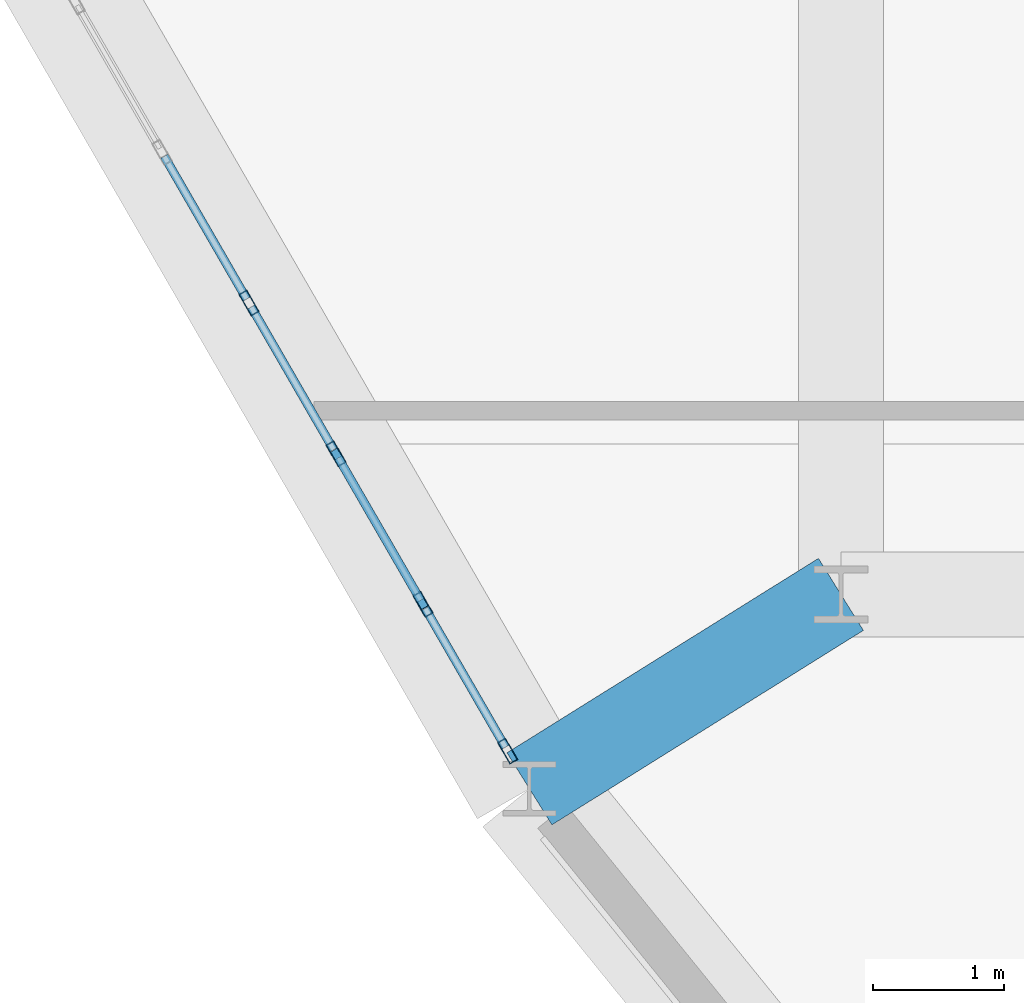
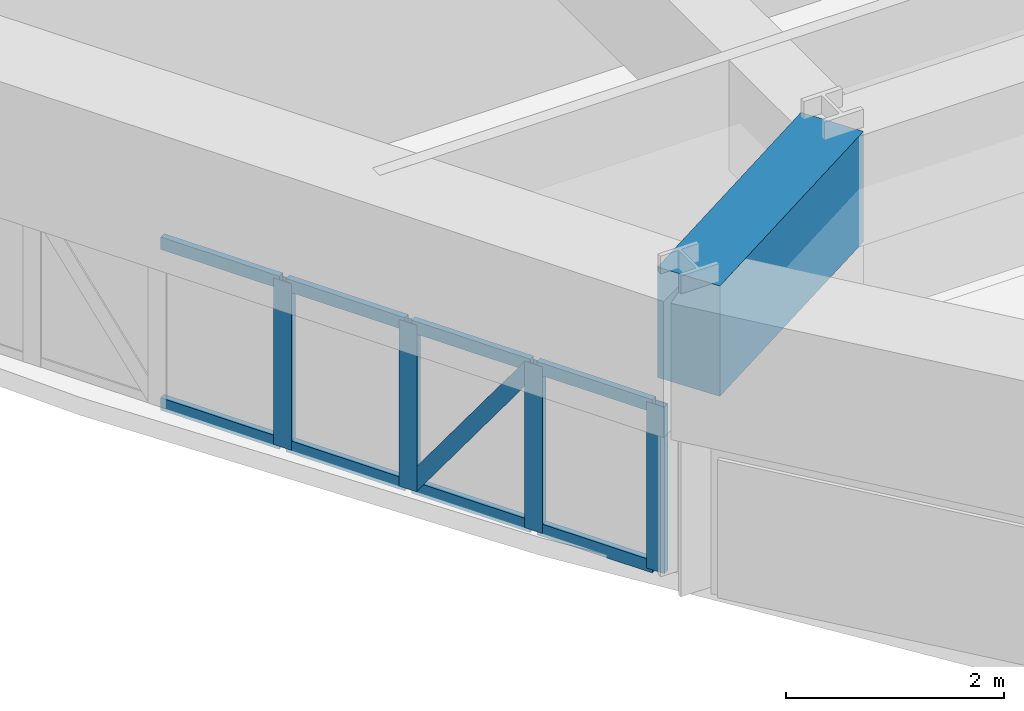
# One storey, part 2 of 13: 13 members, 1 beam, 1 element without a shape of its own.
"""IFC4 building model written with IfcOpenShell, lengths in metres."""

from ifc_helpers import new_model, si_unit, derived_unit, direction, frame, origin, origin_2d, place, context, subcontext, project, spatial, rectangle, hollow_rectangle, extrude, source, transform, mapped, material, layer, layer_set, material_profile, profile_set, type_object, element, aggregate, save


model = new_model("IFC4")

# Units and contexts
model_context = context("Model", 3, precision=1e-05, world=origin(), true_north=direction((0.0, 1.0)))
body_context = subcontext(model_context, "Body", "Model", "MODEL_VIEW")
ifc_project = project(units=[si_unit("LENGTHUNIT", "METRE"), si_unit("AREAUNIT", "SQUARE_METRE"), si_unit("VOLUMEUNIT", "CUBIC_METRE"), si_unit("PLANEANGLEUNIT", "RADIAN"), si_unit("MASSUNIT", "GRAM", prefix="KILO"), derived_unit("THERMALTRANSMITTANCEUNIT", [(si_unit("POWERUNIT", "WATT"), 1), (si_unit("LENGTHUNIT", "METRE"), -2), (si_unit("THERMODYNAMICTEMPERATUREUNIT", "KELVIN"), -1)])], contexts=[model_context])

# Site, building, storey
site_placement = place(None, origin())
site = spatial("IfcSite", under=ifc_project, at=site_placement, CompositionType="ELEMENT")
building_placement = place(site_placement, origin())
building = spatial("IfcBuilding", under=site, at=building_placement, Name="Korsvarv Bourse and Concert Hall", CompositionType="ELEMENT")
storey_placement = place(building_placement, frame((0.0, 0.0, 179.39990234375)))
storey = spatial("IfcBuildingStorey", under=building, at=storey_placement, Name="L46", CompositionType="ELEMENT", Elevation=179.39990234375)

# Beam
ifc_material_1 = material(Name="Concrete C50/60", Category="concrete")
ifc_material_profile_1 = material_profile(ifc_material_1, rectangle(XDim=0.64990234375, YDim=1.239990234375, at=origin_2d()), Name="RC-BM 650x1240")
ifc_profile_set_1 = profile_set([ifc_material_profile_1], Name="Concrete C50/60")
beam_type = type_object("IfcBeamType", Name="BM-TR-SPN", PredefinedType="BEAM", material=ifc_profile_set_1)
shared_shape_1 = source(origin(), body_context, "Body", "SweptSolid", [
    extrude(rectangle(XDim=0.64990234375, YDim=1.239990234375, at=origin_2d()), origin(), (0.0, 0.0, 1.0), 2.8095703125),
])
beam_placement = place(storey_placement, frame((25.216796875, 22.51220703125, 2.780029296875), z_axis=(0.848281328121, 0.529545832163, 0.0), x_axis=(-0.529545832163, 0.848281328121, 0.0)))
element("IfcBeam", 1, at=beam_placement, inside=storey, type_object=beam_type, Name="L46 beam B-TRS", PredefinedType="BEAM", context=body_context, shape_type="MappedRepresentation", body=[
    mapped(shared_shape_1, transform((0.0, 0.0, 0.0), scale=1.0)),
])

# Curtain wall, members
ifc_material_2 = material(Name="Anodised aluminium and triple low-E glazing", Category="glass")
ifc_layer = layer(ifc_material_2, 0.199951171875)
ifc_layer_set = layer_set([ifc_layer], Name="Anodised aluminium and triple low-E glazing")
curtain_wall_type = type_object("IfcCurtainWallType", Name="CW-SYS-3", PredefinedType="NOTDEFINED", material=ifc_layer_set)
curtain_wall_placement = place(storey_placement, origin())
curtain_wall = element("IfcCurtainWall", 2, at=curtain_wall_placement, inside=storey, type_object=curtain_wall_type, Name="L46 CW3 curtain wall CW-L46-F07", PredefinedType="NOTDEFINED")
ifc_material_3 = material(Name="Extruded aluminium EN AW-6063 T66", Category="aluminium")
ifc_material_profile_2 = material_profile(ifc_material_3, hollow_rectangle(XDim=0.070068359375, YDim=0.18994140625, WallThickness=0.0048828125, at=origin_2d()), Name="ALU-M 70x190")
ifc_profile_set_2 = profile_set([ifc_material_profile_2], Name="Extruded aluminium EN AW-6063 T66")
member_type_1 = type_object("IfcMemberType", Name="CWM-190", PredefinedType="MULLION", material=ifc_profile_set_2)
shared_shape_2 = source(origin(), body_context, "Body", "SweptSolid", [
    extrude(hollow_rectangle(XDim=0.070068359375, YDim=0.18994140625, WallThickness=0.0048828125, at=origin_2d()), origin(), (0.0, 0.0, 1.0), 1.8701171875),
])
member_1_placement = place(storey_placement, frame((23.07080078125, 26.229248046875, 0.0), z_axis=(0.0, 0.0, 1.0), x_axis=(0.866028825281, 0.499994073747, 0.0)))
member_1 = element("IfcMember", 3, at=member_1_placement, type_object=member_type_1, Name="CW3 mullion 7", PredefinedType="MULLION", context=body_context, shape_type="MappedRepresentation", body=[
    mapped(shared_shape_2, transform((0.0, 0.0, 0.0), scale=1.0)),
])
member_2_placement = place(storey_placement, frame((23.736572265625, 25.076171875, 0.0), z_axis=(0.0, 0.0, 1.0), x_axis=(0.866028825281, 0.499994073747, 0.0)))
member_2 = element("IfcMember", 4, at=member_2_placement, type_object=member_type_1, Name="CW3 mullion 8", PredefinedType="MULLION", context=body_context, shape_type="MappedRepresentation", body=[
    mapped(shared_shape_2, transform((0.0, 0.0, 0.0), scale=1.0)),
])
member_3_placement = place(storey_placement, frame((24.402099609375, 23.923095703125, 0.0), z_axis=(0.0, 0.0, 1.0), x_axis=(0.866028825281, 0.499994073747, 0.0)))
member_3 = element("IfcMember", 5, at=member_3_placement, type_object=member_type_1, Name="CW3 mullion 9", PredefinedType="MULLION", context=body_context, shape_type="MappedRepresentation", body=[
    mapped(shared_shape_2, transform((0.0, 0.0, 0.0), scale=1.0)),
])
member_4_placement = place(storey_placement, frame((25.05029296875, 22.80029296875, 0.0), z_axis=(0.0, 0.0, 1.0), x_axis=(0.866028825281, 0.499994073747, 0.0)))
member_4 = element("IfcMember", 6, at=member_4_placement, type_object=member_type_1, Name="CW3 mullion 10", PredefinedType="MULLION", context=body_context, shape_type="MappedRepresentation", body=[
    mapped(shared_shape_2, transform((0.0, 0.0, 0.0), scale=1.0)),
])
ifc_material_profile_3 = material_profile(ifc_material_3, hollow_rectangle(XDim=0.06494140625, YDim=0.139892578125, WallThickness=0.00390625, at=origin_2d()), Name="ALU-T 65x140")
ifc_profile_set_3 = profile_set([ifc_material_profile_3], Name="Extruded aluminium EN AW-6063 T66")
member_type_2 = type_object("IfcMemberType", Name="CWT-140", PredefinedType="USERDEFINED", material=ifc_profile_set_3)
shared_shape_3 = source(origin(), body_context, "Body", "SweptSolid", [
    extrude(hollow_rectangle(XDim=0.06494140625, YDim=0.139892578125, WallThickness=0.00390625, at=origin_2d()), origin(), (0.0, 0.0, 1.0), 1.261474609375),
])
member_5_placement = place(storey_placement, frame((22.422607421875, 27.35205078125, 0.03271484375), z_axis=(0.499906742921, -0.86607923909, 0.0), x_axis=(0.86607923909, 0.499906742921, 0.0)))
member_5 = element("IfcMember", 7, at=member_5_placement, type_object=member_type_2, Name="CW3 transom 6.1", ObjectType="TRANSOM", PredefinedType="USERDEFINED", context=body_context, shape_type="MappedRepresentation", body=[
    mapped(shared_shape_3, transform((0.0, 0.0, 0.0), scale=1.0)),
])
member_6_placement = place(storey_placement, frame((22.422607421875, 27.35205078125, 1.837646484375), z_axis=(0.499906742921, -0.86607923909, 0.0), x_axis=(0.86607923909, 0.499906742921, 0.0)))
member_6 = element("IfcMember", 8, at=member_6_placement, type_object=member_type_2, Name="CW3 transom 6.2", ObjectType="TRANSOM", PredefinedType="USERDEFINED", context=body_context, shape_type="MappedRepresentation", body=[
    mapped(shared_shape_3, transform((0.0, 0.0, 0.0), scale=1.0)),
])
member_7_placement = place(storey_placement, frame((23.08837890625, 26.198974609375, 0.03271484375), z_axis=(0.499906742921, -0.86607923909, 0.0), x_axis=(0.86607923909, 0.499906742921, 0.0)))
member_7 = element("IfcMember", 9, at=member_7_placement, type_object=member_type_2, Name="CW3 transom 7.1", ObjectType="TRANSOM", PredefinedType="USERDEFINED", context=body_context, shape_type="MappedRepresentation", body=[
    mapped(shared_shape_3, transform((0.0, 0.0, 0.0), scale=1.0)),
])
member_8_placement = place(storey_placement, frame((23.08837890625, 26.198974609375, 1.837646484375), z_axis=(0.499906742921, -0.86607923909, 0.0), x_axis=(0.86607923909, 0.499906742921, 0.0)))
member_8 = element("IfcMember", 10, at=member_8_placement, type_object=member_type_2, Name="CW3 transom 7.2", ObjectType="TRANSOM", PredefinedType="USERDEFINED", context=body_context, shape_type="MappedRepresentation", body=[
    mapped(shared_shape_3, transform((0.0, 0.0, 0.0), scale=1.0)),
])
member_9_placement = place(storey_placement, frame((23.75390625, 25.0458984375, 0.03271484375), z_axis=(0.500051892845, -0.865995441363, 0.0), x_axis=(0.865995441363, 0.500051892845, 0.0)))
member_9 = element("IfcMember", 11, at=member_9_placement, type_object=member_type_2, Name="CW3 transom 8.1", ObjectType="TRANSOM", PredefinedType="USERDEFINED", context=body_context, shape_type="MappedRepresentation", body=[
    mapped(shared_shape_3, transform((0.0, 0.0, 0.0), scale=1.0)),
])
member_10_placement = place(storey_placement, frame((23.75390625, 25.0458984375, 1.837646484375), z_axis=(0.500051892845, -0.865995441363, 0.0), x_axis=(0.865995441363, 0.500051892845, 0.0)))
member_10 = element("IfcMember", 12, at=member_10_placement, type_object=member_type_2, Name="CW3 transom 8.2", ObjectType="TRANSOM", PredefinedType="USERDEFINED", context=body_context, shape_type="MappedRepresentation", body=[
    mapped(shared_shape_3, transform((0.0, 0.0, 0.0), scale=1.0)),
])
ifc_material_profile_4 = material_profile(ifc_material_3, hollow_rectangle(XDim=0.06494140625, YDim=0.1650390625, WallThickness=0.0048828125, at=origin_2d()), Name="ALU-M 65x165")
ifc_profile_set_4 = profile_set([ifc_material_profile_4], Name="Extruded aluminium EN AW-6063 T66")
member_type_3 = type_object("IfcMemberType", Name="CWM-165", PredefinedType="MULLION", material=ifc_profile_set_4)
shared_shape_4 = source(origin(), body_context, "Body", "SweptSolid", [
    extrude(hollow_rectangle(XDim=0.06494140625, YDim=0.1650390625, WallThickness=0.0048828125, at=origin_2d()), origin(), (0.0, 0.0, 1.0), 2.149169921875),
])
member_11_placement = place(storey_placement, frame((23.75390625, 25.0458984375, 0.065185546875), z_axis=(0.293528717011, -0.508336303648, 0.809589460581), x_axis=(0.865995441363, 0.500051892845, 0.0)))
member_11 = element("IfcMember", 13, at=member_11_placement, type_object=member_type_3, Name="CW3 diagonal mullion 8", PredefinedType="MULLION", context=body_context, shape_type="MappedRepresentation", body=[
    mapped(shared_shape_4, transform((0.0, 0.0, 0.0), scale=1.0)),
])
shared_shape_5 = source(origin(), body_context, "Body", "SweptSolid", [
    extrude(hollow_rectangle(XDim=0.06494140625, YDim=0.139892578125, WallThickness=0.00390625, at=origin_2d()), origin(), (0.0, 0.0, 1.0), 1.226318359375),
])
member_12_placement = place(storey_placement, frame((24.419677734375, 23.892822265625, 0.03271484375), z_axis=(0.500078582497, -0.865980029404, 0.0), x_axis=(0.865980029404, 0.500078582497, 0.0)))
member_12 = element("IfcMember", 14, at=member_12_placement, type_object=member_type_2, Name="CW3 transom 9.1", ObjectType="TRANSOM", PredefinedType="USERDEFINED", context=body_context, shape_type="MappedRepresentation", body=[
    mapped(shared_shape_5, transform((0.0, 0.0, 0.0), scale=1.0)),
])
member_13_placement = place(storey_placement, frame((24.419677734375, 23.892822265625, 1.837646484375), z_axis=(0.500078582497, -0.865980029404, 0.0), x_axis=(0.865980029404, 0.500078582497, 0.0)))
member_13 = element("IfcMember", 15, at=member_13_placement, type_object=member_type_2, Name="CW3 transom 9.2", ObjectType="TRANSOM", PredefinedType="USERDEFINED", context=body_context, shape_type="MappedRepresentation", body=[
    mapped(shared_shape_5, transform((0.0, 0.0, 0.0), scale=1.0)),
])
aggregate(curtain_wall, [member_1, member_2, member_3, member_4, member_5, member_6, member_7, member_8, member_9, member_10, member_11, member_12, member_13])

save(model, "model.ifc")
